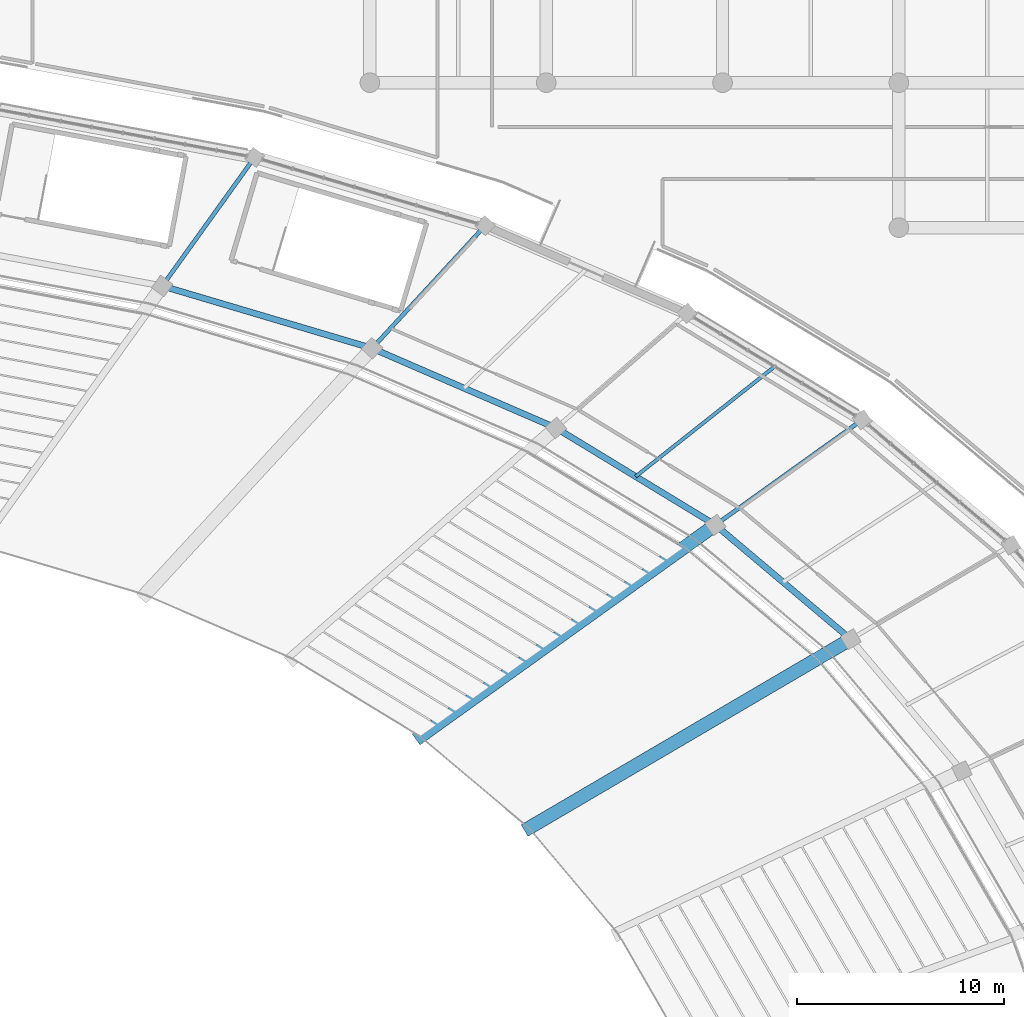
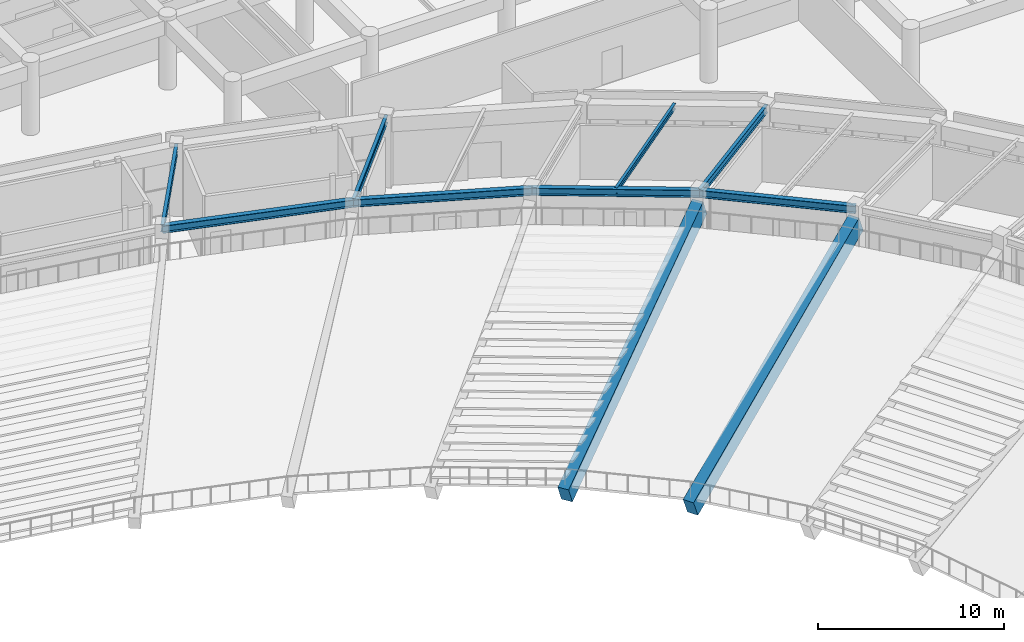
# One storey, part 66 of 137: 10 beams.
"""IFC4 building model written with IfcOpenShell, lengths in metres."""

from ifc_helpers import new_model, si_unit, direction, frame, origin, origin_2d, place, context, subcontext, project, spatial, rectangle, i_section, extrude, material, material_profile, profile_set, type_object, element, save


model = new_model("IFC4")

# Units and contexts
model_context = context("Model", 3, precision=1e-05, world=origin(), true_north=direction((0.0, 1.0)))
body_context = subcontext(model_context, "Body", "Model", "MODEL_VIEW")
ifc_project = project(units=[si_unit("LENGTHUNIT", "METRE"), si_unit("AREAUNIT", "SQUARE_METRE"), si_unit("VOLUMEUNIT", "CUBIC_METRE"), si_unit("PLANEANGLEUNIT", "RADIAN"), si_unit("MASSUNIT", "GRAM", prefix="KILO")], contexts=[model_context])

# Site, building, storey
site_placement = place(None, origin())
site = spatial("IfcSite", under=ifc_project, at=site_placement, CompositionType="ELEMENT")
building_placement = place(site_placement, origin())
building = spatial("IfcBuilding", under=site, at=building_placement, Name="Mphavela Belvedere Stadium", CompositionType="ELEMENT")
storey_placement = place(building_placement, frame((0.0, 0.0, 19.199951171875)))
storey = spatial("IfcBuildingStorey", under=building, at=storey_placement, Name="L04", CompositionType="ELEMENT", Elevation=19.199951171875)

# Beams
ifc_material_1 = material(Name="Steel S355", Category="steel")
ifc_material_profile_1 = material_profile(ifc_material_1, i_section(OverallWidth=0.169921875, OverallDepth=0.360107421875, WebThickness=0.008056640625, FlangeThickness=0.0126953125, at=origin_2d()), Name="IPE 360")
ifc_profile_set_1 = profile_set([ifc_material_profile_1], Name="Steel S355")
beam_type_1 = type_object("IfcBeamType", Name="BM-JOIST-IPE360", PredefinedType="JOIST", material=ifc_profile_set_1)
beam_1_placement = place(storey_placement, frame((183.210693359375, 140.97412109375, 4.3701171875), z_axis=(0.784195537739, 0.620513785979, 0.0), x_axis=(-0.620513785979, 0.784195537739, 0.0)))
element("IfcBeam", 1, at=beam_1_placement, inside=storey, type_object=beam_type_1, Name="Concourse floor joist L04-07", PredefinedType="JOIST", context=body_context, shape_type="SweptSolid", body=[
    extrude(i_section(OverallWidth=0.169921875, OverallDepth=0.360107421875, WebThickness=0.008056640625, FlangeThickness=0.0126953125, at=origin_2d()), origin(), (0.0, 0.0, 1.0), 8.56298828125),
])
ifc_material_2 = material(Name="Precast concrete C45/55", Category="concrete")
ifc_material_profile_2 = material_profile(ifc_material_2, rectangle(XDim=0.64990234375, YDim=1.199951171875, at=origin_2d()), Name="PC 650x1200")
ifc_profile_set_2 = profile_set([ifc_material_profile_2], Name="Precast concrete C45/55")
beam_type_2 = type_object("IfcBeamType", Name="BM-RAKER-UPPER", PredefinedType="USERDEFINED", material=ifc_profile_set_2)
beam_2_placement = place(storey_placement, frame((178.043212890625, 123.986572265625, -4.349853515625), z_axis=(0.792460869646, 0.464928119201, 0.394775396975), x_axis=(-0.506028977575, 0.862516477439, 0.0)))
element("IfcBeam", 2, at=beam_2_placement, inside=storey, type_object=beam_type_2, Name="Upper tier precast cantilever raker beam RK-U-06", ObjectType="RAKER BEAM", PredefinedType="USERDEFINED", context=body_context, shape_type="SweptSolid", body=[
    extrude(rectangle(XDim=0.64990234375, YDim=1.199951171875, at=origin_2d()), origin(), (0.0, 0.0, 1.0), 19.63134765625),
])
beam_3_placement = place(storey_placement, frame((172.798583984375, 128.412353515625, -4.349853515625), z_axis=(0.743575410162, 0.532772672348, 0.40404070216), x_axis=(-0.582430073559, 0.812880808861, 0.0)))
element("IfcBeam", 3, at=beam_3_placement, inside=storey, type_object=beam_type_2, Name="Upper tier precast cantilever raker beam RK-U-07", ObjectType="RAKER BEAM", PredefinedType="USERDEFINED", context=body_context, shape_type="SweptSolid", body=[
    extrude(rectangle(XDim=0.64990234375, YDim=1.199951171875, at=origin_2d()), origin(), (0.0, 0.0, 1.0), 19.18115234375),
])
ifc_material_3 = material(Name="Steel S355", Category="steel")
ifc_material_profile_3 = material_profile(ifc_material_3, i_section(OverallWidth=0.300048828125, OverallDepth=0.489990234375, WebThickness=0.011962890625, FlangeThickness=0.02294921875, at=origin_2d()), Name="HEA 500")
ifc_profile_set_3 = profile_set([ifc_material_profile_3], Name="Steel S355")
beam_type_3 = type_object("IfcBeamType", Name="BM-STEEL-HEA500", PredefinedType="BEAM", material=ifc_profile_set_3)
beam_4_placement = place(storey_placement, frame((193.600341796875, 133.11376953125, 4.304931640625), z_axis=(-0.764263355392, 0.644904274761, 0.0), x_axis=(-0.644904274761, -0.764263355392, 0.0)))
element("IfcBeam", 4, at=beam_4_placement, inside=storey, type_object=beam_type_3, Name="Circumferential girder L04 R3-06", PredefinedType="BEAM", context=body_context, shape_type="SweptSolid", body=[
    extrude(i_section(OverallWidth=0.300048828125, OverallDepth=0.489990234375, WebThickness=0.011962890625, FlangeThickness=0.02294921875, at=origin_2d()), origin(), (0.0, 0.0, 1.0), 8.55615234375),
])
beam_5_placement = place(storey_placement, frame((187.061279296875, 138.631591796875, 4.304931640625), z_axis=(-0.854315160357, 0.519755333579, 0.0), x_axis=(-0.519755333579, -0.854315160357, 0.0)))
element("IfcBeam", 5, at=beam_5_placement, inside=storey, type_object=beam_type_3, Name="Circumferential girder L04 R3-07", PredefinedType="BEAM", context=body_context, shape_type="SweptSolid", body=[
    extrude(i_section(OverallWidth=0.300048828125, OverallDepth=0.489990234375, WebThickness=0.011962890625, FlangeThickness=0.02294921875, at=origin_2d()), origin(), (0.0, 0.0, 1.0), 9.014404296875),
])
beam_6_placement = place(storey_placement, frame((179.360107421875, 143.31689453125, 4.304931640625), z_axis=(-0.917501650019, 0.397731972832, 0.0), x_axis=(-0.397731972832, -0.917501650019, 0.0)))
element("IfcBeam", 6, at=beam_6_placement, inside=storey, type_object=beam_type_3, Name="Circumferential girder L04 R3-08", PredefinedType="BEAM", context=body_context, shape_type="SweptSolid", body=[
    extrude(i_section(OverallWidth=0.300048828125, OverallDepth=0.489990234375, WebThickness=0.011962890625, FlangeThickness=0.02294921875, at=origin_2d()), origin(), (0.0, 0.0, 1.0), 9.6826171875),
])
beam_7_placement = place(storey_placement, frame((170.476318359375, 147.16796875, 4.304931640625), z_axis=(-0.958655230784, 0.284570111731, 0.0), x_axis=(-0.284570111731, -0.958655230784, 0.0)))
element("IfcBeam", 7, at=beam_7_placement, inside=storey, type_object=beam_type_3, Name="Circumferential girder L04 R3-09", PredefinedType="BEAM", context=body_context, shape_type="SweptSolid", body=[
    extrude(i_section(OverallWidth=0.300048828125, OverallDepth=0.489990234375, WebThickness=0.011962890625, FlangeThickness=0.02294921875, at=origin_2d()), origin(), (0.0, 0.0, 1.0), 10.57568359375),
])
ifc_material_4 = material(Name="Steel S355", Category="steel")
ifc_material_profile_4 = material_profile(ifc_material_4, i_section(OverallWidth=0.199951171875, OverallDepth=0.5, WebThickness=0.01025390625, FlangeThickness=0.01611328125, at=origin_2d()), Name="IPE 500")
ifc_profile_set_4 = profile_set([ifc_material_profile_4], Name="Steel S355")
beam_type_4 = type_object("IfcBeamType", Name="BM-STEEL-IPE500", PredefinedType="BEAM", material=ifc_profile_set_4)
beam_8_placement = place(storey_placement, frame((187.061279296875, 138.631591796875, 4.300048828125), z_axis=(0.812882024932, 0.582428376319, 0.0), x_axis=(-0.582428376319, 0.812882024932, 0.0)))
element("IfcBeam", 8, at=beam_8_placement, inside=storey, type_object=beam_type_4, Name="Radial concourse girder L04 R3R4-07", PredefinedType="BEAM", context=body_context, shape_type="SweptSolid", body=[
    extrude(i_section(OverallWidth=0.199951171875, OverallDepth=0.5, WebThickness=0.01025390625, FlangeThickness=0.01611328125, at=origin_2d()), origin(), (0.0, 0.0, 1.0), 8.727294921875),
])
beam_9_placement = place(storey_placement, frame((170.476318359375, 147.16796875, 4.300048828125), z_axis=(0.67784325477, 0.735206448532, 0.0), x_axis=(-0.735206448532, 0.67784325477, 0.0)))
element("IfcBeam", 9, at=beam_9_placement, inside=storey, type_object=beam_type_4, Name="Radial concourse girder L04 R3R4-09", PredefinedType="BEAM", context=body_context, shape_type="SweptSolid", body=[
    extrude(i_section(OverallWidth=0.199951171875, OverallDepth=0.5, WebThickness=0.01025390625, FlangeThickness=0.01611328125, at=origin_2d()), origin(), (0.0, 0.0, 1.0), 8.056640625),
])
beam_10_placement = place(storey_placement, frame((160.337890625, 150.177490234375, 4.300048828125), z_axis=(0.583043812448, 0.812440713385, 0.0), x_axis=(-0.812440713385, 0.583043812448, 0.0)))
element("IfcBeam", 10, at=beam_10_placement, inside=storey, type_object=beam_type_4, Name="Radial concourse girder L04 R3R4-10", PredefinedType="BEAM", context=body_context, shape_type="SweptSolid", body=[
    extrude(i_section(OverallWidth=0.199951171875, OverallDepth=0.5, WebThickness=0.01025390625, FlangeThickness=0.01611328125, at=origin_2d()), origin(), (0.0, 0.0, 1.0), 7.6552734375),
])

save(model, "model.ifc")
